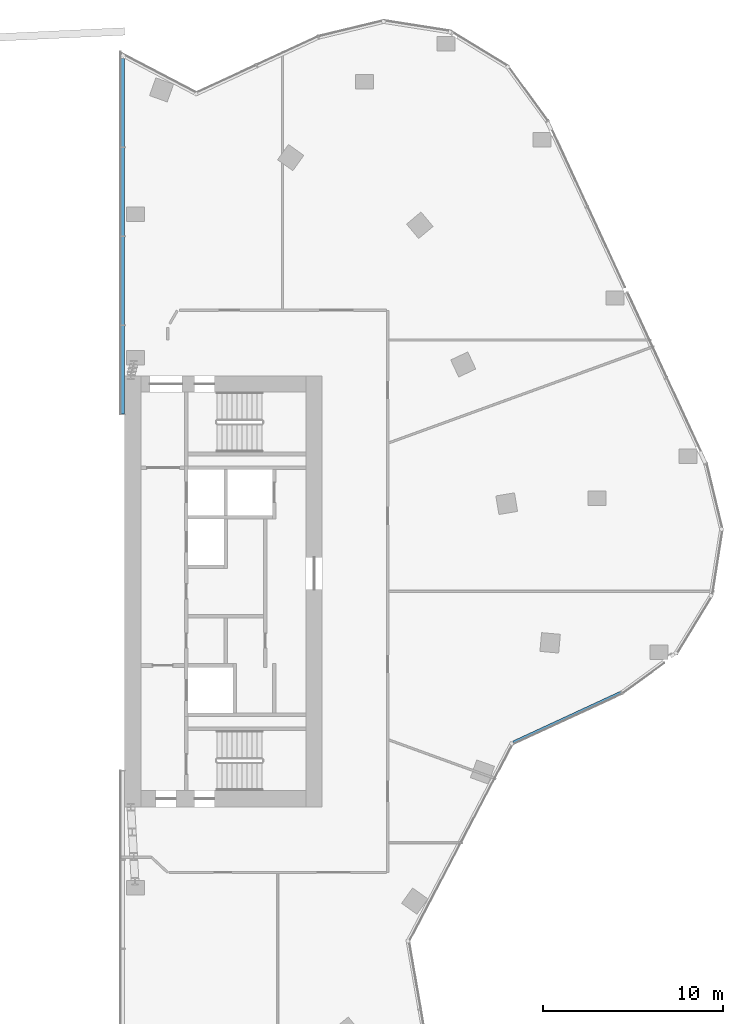
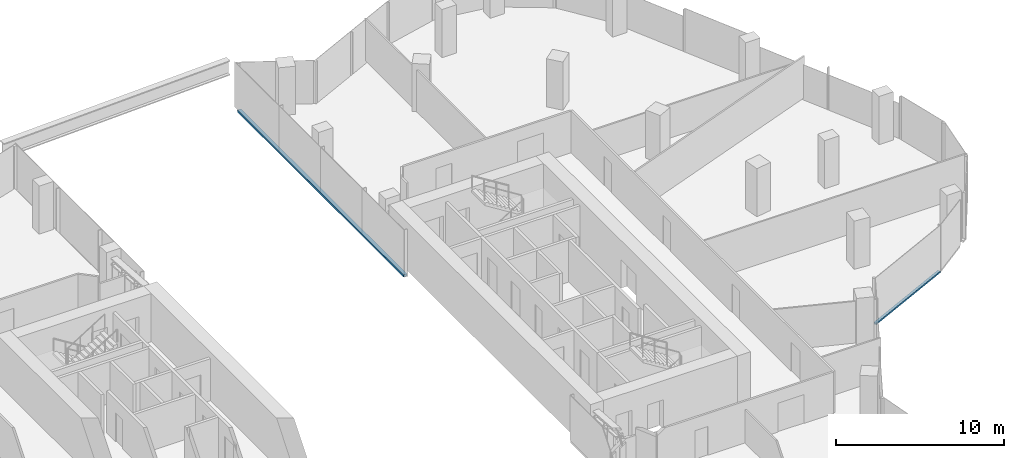
# One storey, part 9 of 24: 2 members, 2 elements without a shape of their own.
"""IFC4 building model written with IfcOpenShell, lengths in metres."""

from ifc_helpers import new_model, si_unit, direction, frame, origin, origin_2d, place, context, subcontext, project, spatial, rectangle, extrude, material, material_profile, profile_set, type_object, element, aggregate, save


model = new_model("IFC4")

# Units and contexts
model_context = context("Model", 3, precision=1e-05, world=origin(), true_north=direction((0.0, 1.0)))
body_context = subcontext(model_context, "Body", "Model", "MODEL_VIEW")
ifc_project = project(units=[si_unit("LENGTHUNIT", "METRE"), si_unit("AREAUNIT", "SQUARE_METRE"), si_unit("VOLUMEUNIT", "CUBIC_METRE"), si_unit("PLANEANGLEUNIT", "RADIAN"), si_unit("MASSUNIT", "GRAM", prefix="KILO")], contexts=[model_context])

# Site, building, storey
site_placement = place(None, origin())
site = spatial("IfcSite", under=ifc_project, at=site_placement, CompositionType="ELEMENT")
building_placement = place(site_placement, origin())
building = spatial("IfcBuilding", under=site, at=building_placement, Name="Orlundy Tower", CompositionType="ELEMENT")
storey_placement = place(building_placement, frame((0.0, 0.0, 267.5)))
storey = spatial("IfcBuildingStorey", under=building, at=storey_placement, Name="L71", CompositionType="ELEMENT", Elevation=267.5)

# Curtain wall, member
ifc_material_1 = material(Name="Aluminium bronze anodised", Category="aluminium")
curtain_wall_type = type_object("IfcCurtainWallType", Name="CW1 wall", PredefinedType="NOTDEFINED", material=ifc_material_1)
curtain_wall_1_placement = place(storey_placement, origin())
curtain_wall_1 = element("IfcCurtainWall", 1, at=curtain_wall_1_placement, inside=storey, type_object=curtain_wall_type, Name="CW1 run 110", PredefinedType="NOTDEFINED")
ifc_material_2 = material(Name="Aluminium bronze anodised", Category="aluminium")
ifc_material_profile_1 = material_profile(ifc_material_2, rectangle(XDim=0.179931640625, YDim=0.1201171875, at=origin_2d()), Name="CW1 transom 180x120")
ifc_profile_set_1 = profile_set([ifc_material_profile_1], Name="Aluminium bronze anodised")
member_type_1 = type_object("IfcMemberType", Name="CW1 transom 180x120", PredefinedType="USERDEFINED", material=ifc_profile_set_1)
member_1_placement = place(storey_placement, frame((35.64892578125, -5.639404296875, -0.340087890625), z_axis=(-0.907544697421, -0.41995550024, 0.0), x_axis=(0.41995550024, -0.907544697421, 0.0)))
member_1 = element("IfcMember", 2, at=member_1_placement, type_object=member_type_1, Name="CW1 transom", ObjectType="TRANSOM", PredefinedType="USERDEFINED", context=body_context, shape_type="SweptSolid", body=[
    extrude(rectangle(XDim=0.179931640625, YDim=0.1201171875, at=origin_2d()), origin(), (0.0, 0.0, 1.0), 6.623779296875),
])
aggregate(curtain_wall_1, [member_1])

curtain_wall_2_placement = place(storey_placement, origin())
curtain_wall_2 = element("IfcCurtainWall", 3, at=curtain_wall_2_placement, inside=storey, type_object=curtain_wall_type, Name="CW1 run 118", PredefinedType="NOTDEFINED")
ifc_material_3 = material(Name="Aluminium bronze anodised", Category="aluminium")
ifc_material_profile_2 = material_profile(ifc_material_3, rectangle(XDim=0.239990234375, YDim=0.159912109375, at=origin_2d()), Name="CW6 transom 240x160")
ifc_profile_set_2 = profile_set([ifc_material_profile_2], Name="Aluminium bronze anodised")
member_type_2 = type_object("IfcMemberType", Name="CW6 transom 240x160", PredefinedType="USERDEFINED", material=ifc_profile_set_2)
member_2_placement = place(storey_placement, frame((7.8798828125, 9.87646484375, -0.320068359375), z_axis=(0.0, 1.0, 0.0), x_axis=(-1.0, 0.0, 0.0)))
member_2 = element("IfcMember", 4, at=member_2_placement, type_object=member_type_2, Name="CW6 transom", ObjectType="TRANSOM", PredefinedType="USERDEFINED", context=body_context, shape_type="SweptSolid", body=[
    extrude(rectangle(XDim=0.239990234375, YDim=0.159912109375, at=origin_2d()), origin(), (0.0, 0.0, 1.0), 19.802490234375),
])
aggregate(curtain_wall_2, [member_2])

save(model, "model.ifc")
